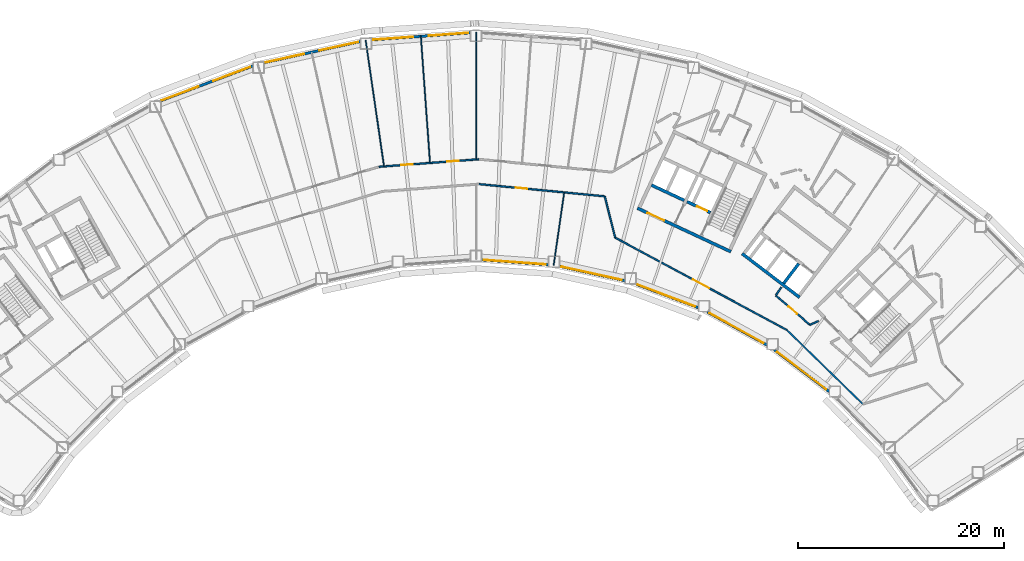
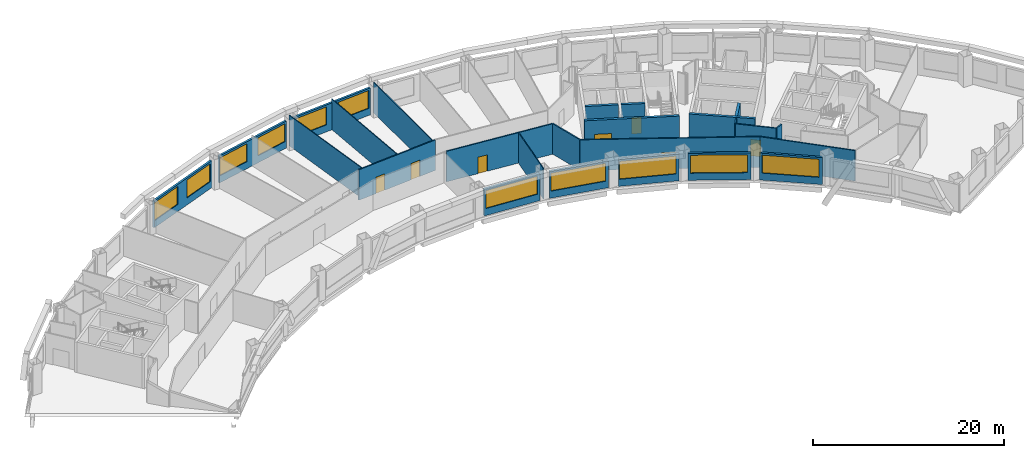
# One storey, part 5 of 11: 25 walls, 11 windows, 7 doors, 18 openings.
"""IFC4 building model written with IfcOpenShell, lengths in metres."""

import ifcopenshell
import ifcopenshell.guid

model = None  # the IFC model being written
_history = None  # IfcOwnerHistory: only IFC2X3 demands one
_inside = {}  # id of a spatial element -> (the spatial element, [elements in it])
_under = {}  # id of a project, library or spatial element -> (it, [spatial elements below it])
_declared = {}  # id of a project -> (the project, [libraries it declares])
_typed = {}  # id of a type object -> (the type object, [elements of that type])
_made_of = {}  # id of a material, layer set ... -> (it, [elements and type objects made of it])


def new_model(schema):
    """Start an empty IFC model of exactly this schema.

    Asked for "IFC4X3", IfcOpenShell would pick the latest addendum, in which some entities
    have other attributes; the version numbers below select the first issue.
    IFC2X3 requires an IfcOwnerHistory on every rooted entity: one is made here for all.
    """
    global model, _history
    if schema == "IFC4X3":
        model = ifcopenshell.file(schema_version=(4, 3, 0, 0))
    else:
        model = ifcopenshell.file(schema=schema)
    _inside.clear()
    _under.clear()
    _declared.clear()
    _typed.clear()
    _made_of.clear()
    _history = None
    if model.schema == "IFC2X3":
        org = make("IfcOrganization", Name="unknown")
        user = make(
            "IfcPersonAndOrganization",
            ThePerson=make("IfcPerson", FamilyName="unknown"),
            TheOrganization=org,
        )
        app = make(
            "IfcApplication",
            ApplicationDeveloper=org,
            Version="unknown",
            ApplicationFullName="unknown",
            ApplicationIdentifier="unknown",
        )
        _history = make(
            "IfcOwnerHistory",
            OwningUser=user,
            OwningApplication=app,
            ChangeAction="ADDED",
            CreationDate=0,
        )
    return model


def make(cls, **values):
    """One entity of the class cls with the attributes given. An attribute that is None is left unset."""
    return model.create_entity(
        cls, **{name: value for name, value in values.items() if value is not None}
    )


def rooted(cls, **values):
    """An entity with a GlobalId (a new one), such as an element, a storey or a relation."""
    return make(cls, GlobalId=ifcopenshell.guid.new(), OwnerHistory=_history, **values)


def si_unit(unit_type, name, prefix=None):
    """IfcSIUnit, for example si_unit("LENGTHUNIT", "METRE", prefix="MILLI")."""
    return make("IfcSIUnit", UnitType=unit_type, Prefix=prefix, Name=name)


def assignment(units):
    """IfcUnitAssignment: the units of a project."""
    return None if units is None else make("IfcUnitAssignment", Units=units)


def point(xyz):
    """IfcCartesianPoint."""
    return None if xyz is None else make("IfcCartesianPoint", Coordinates=xyz)


def direction(xyz):
    """IfcDirection."""
    return None if xyz is None else make("IfcDirection", DirectionRatios=xyz)


def frame(location, z_axis=None, x_axis=None):
    """IfcAxis2Placement3D, a coordinate frame: its origin and axes. An axis left out is left unset."""
    return make(
        "IfcAxis2Placement3D",
        Location=point(location),
        Axis=direction(z_axis),
        RefDirection=direction(x_axis),
    )


def frame_2d(location, x_axis=None):
    """IfcAxis2Placement2D, a coordinate frame in the plane: its origin and x axis."""
    return make(
        "IfcAxis2Placement2D", Location=point(location), RefDirection=direction(x_axis)
    )


def origin():
    """The frame at (0, 0, 0) with its axes left unset."""
    return frame((0.0, 0.0, 0.0))


def place(relative_to, where):
    """IfcLocalPlacement: puts the frame where relative to a parent placement (None: the world)."""
    return make(
        "IfcLocalPlacement", PlacementRelTo=relative_to, RelativePlacement=where
    )


def context(
    kind, dimensions, precision=None, world=None, true_north=None, identifier=None
):
    """IfcGeometricRepresentationContext, for example the 3D "Model" context."""
    return make(
        "IfcGeometricRepresentationContext",
        ContextIdentifier=identifier,
        ContextType=kind,
        CoordinateSpaceDimension=dimensions,
        Precision=precision,
        WorldCoordinateSystem=world,
        TrueNorth=true_north,
    )


def subcontext(parent, identifier, kind, view, scale=None):
    """IfcGeometricRepresentationSubContext, for example "Body" below "Model"."""
    return make(
        "IfcGeometricRepresentationSubContext",
        ContextIdentifier=identifier,
        ContextType=kind,
        ParentContext=parent,
        TargetScale=scale,
        TargetView=view,
    )


def project(units=None, contexts=None):
    """IfcProject with its units and contexts."""
    return rooted(
        "IfcProject",
        Name="project",
        RepresentationContexts=contexts,
        UnitsInContext=assignment(units),
    )


def spatial(cls, under=None, at=None, **own):
    """A site, building, storey or space (cls), placed at a placement, below another one or the project."""
    s = rooted(cls, ObjectPlacement=at, **own)
    if under is not None:
        _under.setdefault(under.id(), (under, []))[1].append(s)
    return s


def profile(cls, at=None, kind="AREA", **sizes):
    """A parametric profile (cls). Its sizes go by their IFC names, for example OverallWidth=200.0."""
    return make(cls, ProfileType=kind, Position=at, **sizes)


def rectangle(**sizes):
    """IfcRectangleProfileDef."""
    return profile("IfcRectangleProfileDef", **sizes)


def extrude(swept, where, along, depth):
    """IfcExtrudedAreaSolid: the profile swept, set in the frame where, extruded along a direction by depth."""
    return make(
        "IfcExtrudedAreaSolid",
        SweptArea=swept,
        Position=where,
        ExtrudedDirection=direction(along),
        Depth=depth,
    )


def shape(context_of_items, identifier, shape_type, items):
    """IfcShapeRepresentation: the items that make up one representation, for example the "Body"."""
    return make(
        "IfcShapeRepresentation",
        ContextOfItems=context_of_items,
        RepresentationIdentifier=identifier,
        RepresentationType=shape_type,
        Items=items,
    )


def material(Name=None, Category=None):
    """IfcMaterial."""
    return make("IfcMaterial", Name=Name, Category=Category)


def layer(
    of_material, thickness, ventilated=None, Name=None, Category=None, Priority=None
):
    """IfcMaterialLayer: one layer of a wall or slab, of a material (None: an air gap)."""
    return make(
        "IfcMaterialLayer",
        Material=of_material,
        LayerThickness=thickness,
        IsVentilated=ventilated,
        Name=Name,
        Category=Category,
        Priority=Priority,
    )


def layer_set(layers, Name=None):
    """IfcMaterialLayerSet."""
    return make("IfcMaterialLayerSet", MaterialLayers=layers, LayerSetName=Name)


def made_of(thing, what):
    """Note that an element or type object is made of a material, layer set ...; save() writes the relation."""
    if what is not None:
        _made_of.setdefault(what.id(), (what, []))[1].append(thing)
    return thing


def type_object(cls, material=None, **own):
    """A type object (cls), such as IfcWallType, which elements share."""
    return made_of(rooted(cls, **own), material)


def element(
    cls,
    number,
    at=None,
    inside=None,
    cuts=None,
    type_object=None,
    material=None,
    context=None,
    identifier="Body",
    shape_type=None,
    held_by="IfcProductDefinitionShape",
    body=None,
    shapes=None,
    **own,
):
    """One element of the class cls, such as IfcWall. Its Tag is "e" and its number.

    at: its placement. inside: the storey or other place that contains it. cuts: it is an
    opening in that element (IfcRelVoidsElement). A single representation is given by context,
    identifier, shape_type and body (its items); several are given by shapes. held_by: the class
    of the entity that holds the representations. save() writes the other relations.
    """
    e = rooted(cls, Tag="e%d" % number, ObjectPlacement=at, **own)
    if body is not None:
        shapes = [shape(context, identifier, shape_type, body)]
    if shapes is not None:
        e.Representation = make(held_by, Representations=shapes)
    if inside is not None:
        _inside.setdefault(inside.id(), (inside, []))[1].append(e)
    if cuts is not None:
        rooted(
            "IfcRelVoidsElement", RelatingBuildingElement=cuts, RelatedOpeningElement=e
        )
    if type_object is not None:
        _typed.setdefault(type_object.id(), (type_object, []))[1].append(e)
    return made_of(e, material)


def fill(opening, filler):
    """IfcRelFillsElement: the door or window that sits in an opening."""
    return rooted(
        "IfcRelFillsElement",
        RelatingOpeningElement=opening,
        RelatedBuildingElement=filler,
    )


def aggregate(whole, parts):
    """IfcRelAggregates: a whole, such as a stair, and the parts it consists of."""
    return rooted("IfcRelAggregates", RelatingObject=whole, RelatedObjects=parts)


def save(model, path):
    """Write the relations noted so far, then the file.

    IfcRelAggregates (storeys below a building ...), IfcRelContainedInSpatialStructure (elements
    in a storey), IfcRelDefinesByType, IfcRelAssociatesMaterial and IfcRelDeclares: one each for
    every whole, place, type object, material and project.
    """
    for whole, parts in _under.values():
        aggregate(whole, parts)
    for where, things in _inside.values():
        rooted(
            "IfcRelContainedInSpatialStructure",
            RelatedElements=things,
            RelatingStructure=where,
        )
    for kind, things in _typed.values():
        rooted("IfcRelDefinesByType", RelatedObjects=things, RelatingType=kind)
    for what, things in _made_of.values():
        rooted("IfcRelAssociatesMaterial", RelatedObjects=things, RelatingMaterial=what)
    for by, libraries in _declared.values():
        rooted("IfcRelDeclares", RelatingContext=by, RelatedDefinitions=libraries)
    model.write(path)


model = new_model("IFC4")

# Units and contexts
model_context = context("Model", 3, precision=1e-05, world=origin(), true_north=direction((0.0, 1.0)))
body_context = subcontext(model_context, "Body", "Model", "MODEL_VIEW")
ifc_project = project(units=[si_unit("LENGTHUNIT", "METRE"), si_unit("AREAUNIT", "SQUARE_METRE"), si_unit("VOLUMEUNIT", "CUBIC_METRE"), si_unit("PLANEANGLEUNIT", "RADIAN"), si_unit("MASSUNIT", "GRAM", prefix="KILO")], contexts=[model_context])

# Site, building, storey
site_placement = place(None, origin())
site = spatial("IfcSite", under=ifc_project, at=site_placement, CompositionType="ELEMENT")
building_placement = place(site_placement, origin())
building = spatial("IfcBuilding", under=site, at=building_placement, Name="Tuul Gate Civic Tower", CompositionType="ELEMENT")
storey_placement = place(building_placement, frame((0.0, 0.0, 120.300048828125)))
storey = spatial("IfcBuildingStorey", under=building, at=storey_placement, Name="Level 27", CompositionType="ELEMENT", Elevation=120.300048828125)

# Wall, opening, door
ifc_material_1 = material(Name="Concrete C50/60", Category="concrete")
ifc_layer_1 = layer(ifc_material_1, 0.300048828125)
ifc_layer_set_1 = layer_set([ifc_layer_1], Name="Concrete C50/60")
wall_type_1 = type_object("IfcWallType", Name="Core wall C50/60", PredefinedType="SHEAR", material=ifc_layer_set_1)
wall_1_placement = place(storey_placement, frame((34.5283203125, -7.25, 0.0), z_axis=(0.0, 0.0, 1.0), x_axis=(-0.906310338845, 0.422612789327, 0.0)))
wall_1 = element("IfcWall", 1, at=wall_1_placement, inside=storey, type_object=wall_type_1, Name="Core wall", PredefinedType="SHEAR", context=body_context, shape_type="SweptSolid", body=[
    extrude(rectangle(XDim=9.999755859375, YDim=0.300048828125, at=frame_2d((5.0, 0.0))), origin(), (0.0, 0.0, 1.0), 3.89990234375),
])
opening_1_placement = place(wall_1_placement, frame((7.125, 0.0, 0.0)))
opening_1 = element("IfcOpeningElement", 2, at=opening_1_placement, cuts=wall_1, Name="Opening LB-E3-LOBBY-1", PredefinedType="OPENING", context=body_context, shape_type="SweptSolid", body=[
    extrude(rectangle(XDim=1.800048828125, YDim=2.10009765625, at=frame_2d((0.89990234375, 1.050048828125))), frame((0.0, 0.16015625, 0.0), z_axis=(0.0, -1.0, 0.0), x_axis=(1.0, 0.0, 0.0)), (0.0, 0.0, 1.0), 0.320068359375),
])
ifc_material_2 = material(Name="Steel", Category="steel")
door_type_1 = type_object("IfcDoorType", Name="Lobby door", OperationType="DOUBLE_DOOR_SINGLE_SWING", PredefinedType="DOOR", material=ifc_material_2)
door_1_placement = place(opening_1_placement, frame((1.800048828125, 0.0, 0.0), z_axis=(0.0, 0.0, 1.0), x_axis=(-1.0, 0.0, 0.0)))
door_1 = element("IfcDoor", 3, at=door_1_placement, inside=storey, type_object=door_type_1, Name="Lobby door E3-LOBBY", OperationType="DOUBLE_DOOR_SINGLE_SWING", OverallHeight=2.10009765625, OverallWidth=1.800048828125, PredefinedType="DOOR", context=body_context, shape_type="SweptSolid", body=[
    extrude(rectangle(XDim=1.800048828125, YDim=2.10009765625, at=frame_2d((0.900146484375, 1.050048828125))), frame((0.0, 0.02490234375, 0.0), z_axis=(0.0, -1.0, 0.0), x_axis=(1.0, 0.0, 0.0)), (0.0, 0.0, 1.0), 0.050048828125),
])
fill(opening_1, door_1)

wall_2_placement = place(storey_placement, frame((32.545654296875, -3.456787109375, 0.0), z_axis=(0.0, 0.0, 1.0), x_axis=(-0.906300357825, 0.42263419337, 0.0)))
wall_2 = element("IfcWall", 4, at=wall_2_placement, inside=storey, type_object=wall_type_1, Name="Core wall", PredefinedType="SHEAR", context=body_context, shape_type="SweptSolid", body=[
    extrude(rectangle(XDim=2.500244140625, YDim=0.300048828125, at=frame_2d((1.25, 0.0))), origin(), (0.0, 0.0, 1.0), 3.89990234375),
])
opening_2_placement = place(wall_2_placement, frame((0.324951171875, 0.0, 0.0)))
opening_2 = element("IfcOpeningElement", 5, at=opening_2_placement, cuts=wall_2, Name="Opening LD-FF-2", PredefinedType="OPENING", context=body_context, shape_type="SweptSolid", body=[
    extrude(rectangle(XDim=1.10009765625, YDim=2.10009765625, at=frame_2d((0.550048828125, 1.050048828125))), frame((0.0, 0.16015625, 0.0), z_axis=(0.0, -1.0, 0.0), x_axis=(1.0, 0.0, 0.0)), (0.0, 0.0, 1.0), 0.320068359375),
])
ifc_material_3 = material(Name="Stainless steel", Category="steel")
door_type_2 = type_object("IfcDoorType", Name="Landing door", OperationType="DOUBLE_DOOR_SLIDING", PredefinedType="DOOR", material=ifc_material_3)
door_2_placement = place(opening_2_placement, origin())
door_2 = element("IfcDoor", 6, at=door_2_placement, inside=storey, type_object=door_type_2, Name="Fire-fighting lift FF-2 landing door", OperationType="DOUBLE_DOOR_SLIDING", OverallHeight=2.10009765625, OverallWidth=1.10009765625, PredefinedType="DOOR", context=body_context, shape_type="SweptSolid", body=[
    extrude(rectangle(XDim=1.10009765625, YDim=2.10009765625, at=frame_2d((0.550048828125, 1.050048828125))), frame((0.0, 0.02490234375, 0.0), z_axis=(0.0, -1.0, 0.0), x_axis=(1.0, 0.0, 0.0)), (0.0, 0.0, 1.0), 0.050048828125),
])
fill(opening_2, door_2)

# Wall
wall_3_placement = place(storey_placement, frame((30.0078125, -2.2734375, 0.0), z_axis=(0.0, 0.0, 1.0), x_axis=(-0.90630071767, 0.422633421716, 0.0)))
element("IfcWall", 7, at=wall_3_placement, inside=storey, type_object=wall_type_1, Name="Core wall", PredefinedType="SHEAR", context=body_context, shape_type="SweptSolid", body=[
    extrude(rectangle(XDim=3.5, YDim=0.300048828125, at=frame_2d((1.75, 0.0))), origin(), (0.0, 0.0, 1.0), 3.89990234375),
])

# Wall, opening, door
ifc_material_4 = material(Name="Gypsum board partition")
ifc_layer_2 = layer(ifc_material_4, 0.14990234375)
ifc_layer_set_2 = layer_set([ifc_layer_2], Name="Gypsum board partition")
wall_type_2 = type_object("IfcWallType", Name="Corridor wall P150", PredefinedType="PARTITIONING", material=ifc_layer_set_2)
wall_4_placement = place(storey_placement, frame((38.884521484375, -11.499267578125, 0.0), z_axis=(0.0, 0.0, 1.0), x_axis=(0.758650385262, -0.651497960811, 0.0)))
wall_4 = element("IfcWall", 8, at=wall_4_placement, inside=storey, type_object=wall_type_2, Name="p016", PredefinedType="PARTITIONING", context=body_context, shape_type="SweptSolid", body=[
    extrude(rectangle(XDim=4.351806640625, YDim=0.14990234375, at=frame_2d((2.17578125, 0.0))), origin(), (0.0, 0.0, 1.0), 3.89990234375),
])
opening_3_placement = place(wall_4_placement, frame((1.6259765625, 0.0, 0.0)))
opening_3 = element("IfcOpeningElement", 9, at=opening_3_placement, cuts=wall_4, Name="Opening I-D03", PredefinedType="OPENING", context=body_context, shape_type="SweptSolid", body=[
    extrude(rectangle(XDim=1.10009765625, YDim=2.10009765625, at=frame_2d((0.550048828125, 1.050048828125))), frame((0.0, 0.0849609375, 0.0), z_axis=(0.0, -1.0, 0.0), x_axis=(1.0, 0.0, 0.0)), (0.0, 0.0, 1.0), 0.169921875),
])
ifc_material_5 = material(Name="Timber door leaf", Category="wood")
door_type_3 = type_object("IfcDoorType", Name="Door D11", OperationType="NOTDEFINED", PredefinedType="DOOR", material=ifc_material_5)
door_3_placement = place(opening_3_placement, origin())
door_3 = element("IfcDoor", 10, at=door_3_placement, inside=storey, type_object=door_type_3, Name="Door I-D03", OperationType="SINGLE_SWING_RIGHT", OverallHeight=2.10009765625, OverallWidth=1.10009765625, PredefinedType="DOOR", context=body_context, shape_type="SweptSolid", body=[
    extrude(rectangle(XDim=1.10009765625, YDim=2.10009765625, at=frame_2d((0.550048828125, 1.050048828125))), frame((0.0, 0.02490234375, 0.0), z_axis=(0.0, -1.0, 0.0), x_axis=(1.0, 0.0, 0.0)), (0.0, 0.0, 1.0), 0.050048828125),
])
fill(opening_3, door_3)

# Walls
wall_5_placement = place(storey_placement, frame((38.88525390625, -11.476806640625, 0.0), z_axis=(0.0, 0.0, 1.0), x_axis=(0.57613137156, 0.817357108432, 0.0)))
element("IfcWall", 11, at=wall_5_placement, inside=storey, type_object=wall_type_2, Name="p018", PredefinedType="PARTITIONING", context=body_context, shape_type="SweptSolid", body=[
    extrude(rectangle(XDim=0.938232421875, YDim=0.14990234375, at=frame_2d((0.46923828125, 0.0))), origin(), (0.0, 0.0, 1.0), 3.89990234375),
])
wall_6_placement = place(storey_placement, frame((42.203125, -14.334228515625, 0.0), z_axis=(0.0, 0.0, 1.0), x_axis=(0.910498515922, 0.413512336581, 0.0)))
element("IfcWall", 12, at=wall_6_placement, inside=storey, type_object=wall_type_2, Name="p020", PredefinedType="PARTITIONING", context=body_context, shape_type="SweptSolid", body=[
    extrude(rectangle(XDim=0.88623046875, YDim=0.14990234375, at=frame_2d((0.443115234375, 0.0))), origin(), (0.0, 0.0, 1.0), 3.89990234375),
])

# Wall, openings, doors
wall_7_placement = place(storey_placement, frame((0.42431640625, 0.978271484375, 0.0), z_axis=(0.0, 0.0, 1.0), x_axis=(0.997139070822, 0.075588844679, 0.0)))
wall_7 = element("IfcWall", 13, at=wall_7_placement, inside=storey, type_object=wall_type_2, Name="p055", PredefinedType="PARTITIONING", context=body_context, shape_type="SweptSolid", body=[
    extrude(rectangle(XDim=9.708984375, YDim=0.14990234375, at=frame_2d((4.8544921875, 0.0))), origin(), (0.0, 0.0, 1.0), 3.89990234375),
])
opening_4_placement = place(wall_7_placement, frame((6.645263671875, 0.0, 0.0)))
opening_4 = element("IfcOpeningElement", 14, at=opening_4_placement, cuts=wall_7, Name="Opening I-D10", PredefinedType="OPENING", context=body_context, shape_type="SweptSolid", body=[
    extrude(rectangle(XDim=1.10009765625, YDim=2.10009765625, at=frame_2d((0.550048828125, 1.050048828125))), frame((0.0, 0.0849609375, 0.0), z_axis=(0.0, -1.0, 0.0), x_axis=(1.0, 0.0, 0.0)), (0.0, 0.0, 1.0), 0.169921875),
])
opening_5_placement = place(wall_7_placement, frame((2.17431640625, 0.0, 0.0)))
opening_5 = element("IfcOpeningElement", 15, at=opening_5_placement, cuts=wall_7, Name="Opening I-D11", PredefinedType="OPENING", context=body_context, shape_type="SweptSolid", body=[
    extrude(rectangle(XDim=1.10009765625, YDim=2.10009765625, at=frame_2d((0.550048828125, 1.050048828125))), frame((0.0, 0.0849609375, 0.0), z_axis=(0.0, -1.0, 0.0), x_axis=(1.0, 0.0, 0.0)), (0.0, 0.0, 1.0), 0.169921875),
])
door_4_placement = place(opening_4_placement, origin())
door_4 = element("IfcDoor", 16, at=door_4_placement, inside=storey, type_object=door_type_3, Name="Door I-D10", OperationType="SINGLE_SWING_RIGHT", OverallHeight=2.10009765625, OverallWidth=1.10009765625, PredefinedType="DOOR", context=body_context, shape_type="SweptSolid", body=[
    extrude(rectangle(XDim=1.10009765625, YDim=2.10009765625, at=frame_2d((0.550048828125, 1.050048828125))), frame((0.0, 0.02490234375, 0.0), z_axis=(0.0, -1.0, 0.0), x_axis=(1.0, 0.0, 0.0)), (0.0, 0.0, 1.0), 0.050048828125),
])
fill(opening_4, door_4)
door_5_placement = place(opening_5_placement, origin())
door_5 = element("IfcDoor", 17, at=door_5_placement, inside=storey, type_object=door_type_3, Name="Door I-D11", OperationType="SINGLE_SWING_RIGHT", OverallHeight=2.10009765625, OverallWidth=1.10009765625, PredefinedType="DOOR", context=body_context, shape_type="SweptSolid", body=[
    extrude(rectangle(XDim=1.10009765625, YDim=2.10009765625, at=frame_2d((0.550048828125, 1.050048828125))), frame((0.0, 0.02490234375, 0.0), z_axis=(0.0, -1.0, 0.0), x_axis=(1.0, 0.0, 0.0)), (0.0, 0.0, 1.0), 0.050048828125),
])
fill(opening_5, door_5)

# Wall, opening, door
wall_8_placement = place(storey_placement, frame((10.08349609375, -0.695068359375, 0.0), z_axis=(0.0, 0.0, 1.0), x_axis=(0.995306922349, -0.096768436615, 0.0)))
wall_8 = element("IfcWall", 18, at=wall_8_placement, inside=storey, type_object=wall_type_2, Name="p077", PredefinedType="PARTITIONING", context=body_context, shape_type="SweptSolid", body=[
    extrude(rectangle(XDim=12.276611328125, YDim=0.14990234375, at=frame_2d((6.13818359375, 0.0))), origin(), (0.0, 0.0, 1.0), 3.89990234375),
])
opening_6_placement = place(wall_8_placement, frame((3.6171875, 0.0, 0.0)))
opening_6 = element("IfcOpeningElement", 19, at=opening_6_placement, cuts=wall_8, Name="Opening I-D20", PredefinedType="OPENING", context=body_context, shape_type="SweptSolid", body=[
    extrude(rectangle(XDim=1.10009765625, YDim=2.10009765625, at=frame_2d((0.550048828125, 1.050048828125))), frame((0.0, 0.0849609375, 0.0), z_axis=(0.0, -1.0, 0.0), x_axis=(1.0, 0.0, 0.0)), (0.0, 0.0, 1.0), 0.169921875),
])
door_6_placement = place(opening_6_placement, frame((1.10009765625, 0.0, 0.0), z_axis=(0.0, 0.0, 1.0), x_axis=(-1.0, 0.0, 0.0)))
door_6 = element("IfcDoor", 20, at=door_6_placement, inside=storey, type_object=door_type_3, Name="Door I-D20", OperationType="SINGLE_SWING_LEFT", OverallHeight=2.10009765625, OverallWidth=1.10009765625, PredefinedType="DOOR", context=body_context, shape_type="SweptSolid", body=[
    extrude(rectangle(XDim=1.10009765625, YDim=2.10009765625, at=frame_2d((0.550048828125, 1.050048828125))), frame((0.0, 0.02490234375, 0.0), z_axis=(0.0, -1.0, 0.0), x_axis=(1.0, 0.0, 0.0)), (0.0, 0.0, 1.0), 0.050048828125),
])
fill(opening_6, door_6)

# Wall
wall_9_placement = place(storey_placement, frame((22.314697265625, -1.8974609375, 0.0), z_axis=(0.0, 0.0, 1.0), x_axis=(0.243415162546, -0.969922192056, 0.0)))
element("IfcWall", 21, at=wall_9_placement, inside=storey, type_object=wall_type_2, Name="p078", PredefinedType="PARTITIONING", context=body_context, shape_type="SweptSolid", body=[
    extrude(rectangle(XDim=4.1142578125, YDim=0.14990234375, at=frame_2d((2.05712890625, 0.0))), origin(), (0.0, 0.0, 1.0), 3.89990234375),
])

# Wall, opening, door
wall_10_placement = place(storey_placement, frame((23.316162109375, -5.887939453125, 0.0), z_axis=(0.0, 0.0, 1.0), x_axis=(0.880609999569, -0.473841775975, 0.0)))
wall_10 = element("IfcWall", 22, at=wall_10_placement, inside=storey, type_object=wall_type_2, Name="p079", PredefinedType="PARTITIONING", context=body_context, shape_type="SweptSolid", body=[
    extrude(rectangle(XDim=18.90185546875, YDim=0.14990234375, at=frame_2d((9.450927734375, 0.0))), origin(), (0.0, 0.0, 1.0), 3.89990234375),
])
opening_7_placement = place(wall_10_placement, frame((8.551025390625, 0.0, 0.0)))
opening_7 = element("IfcOpeningElement", 23, at=opening_7_placement, cuts=wall_10, Name="Opening I-D19", PredefinedType="OPENING", context=body_context, shape_type="SweptSolid", body=[
    extrude(rectangle(XDim=1.800048828125, YDim=2.10009765625, at=frame_2d((0.89990234375, 1.050048828125))), frame((0.0, 0.0849609375, 0.0), z_axis=(0.0, -1.0, 0.0), x_axis=(1.0, 0.0, 0.0)), (0.0, 0.0, 1.0), 0.169921875),
])
ifc_material_6 = material(Name="Timber door leaf, double", Category="wood")
door_type_4 = type_object("IfcDoorType", Name="Door D18", OperationType="DOUBLE_DOOR_SINGLE_SWING", PredefinedType="DOOR", material=ifc_material_6)
door_7_placement = place(opening_7_placement, frame((1.800048828125, 0.0, 0.0), z_axis=(0.0, 0.0, 1.0), x_axis=(-1.0, 0.0, 0.0)))
door_7 = element("IfcDoor", 24, at=door_7_placement, inside=storey, type_object=door_type_4, Name="Door I-D19", OperationType="DOUBLE_DOOR_SINGLE_SWING", OverallHeight=2.10009765625, OverallWidth=1.800048828125, PredefinedType="DOOR", context=body_context, shape_type="SweptSolid", body=[
    extrude(rectangle(XDim=1.800048828125, YDim=2.10009765625, at=frame_2d((0.900146484375, 1.050048828125))), frame((0.0, 0.02490234375, 0.0), z_axis=(0.0, -1.0, 0.0), x_axis=(1.0, 0.0, 0.0)), (0.0, 0.0, 1.0), 0.050048828125),
])
fill(opening_7, door_7)

# Wall
wall_11_placement = place(storey_placement, frame((39.96142578125, -14.844482421875, 0.0), z_axis=(0.0, 0.0, 1.0), x_axis=(0.715894523592, -0.69820844387, 0.0)))
element("IfcWall", 25, at=wall_11_placement, inside=storey, type_object=wall_type_2, Name="p080", PredefinedType="PARTITIONING", context=body_context, shape_type="SweptSolid", body=[
    extrude(rectangle(XDim=10.2841796875, YDim=0.14990234375, at=frame_2d((5.14208984375, 0.0))), origin(), (0.0, 0.0, 1.0), 3.89990234375),
])

# Wall, openings, windows
ifc_material_7 = material(Name="Precast concrete C40/50", Category="concrete")
ifc_layer_3 = layer(ifc_material_7, 0.25)
ifc_layer_set_3 = layer_set([ifc_layer_3], Name="Precast concrete C40/50")
wall_type_3 = type_object("IfcWallType", Name="External wall", PredefinedType="STANDARD", material=ifc_layer_set_3)
wall_12_placement = place(storey_placement, frame((9.279052734375, 13.972900390625, 0.0), z_axis=(0.0, 0.0, 1.0), x_axis=(-0.99738031898, -0.072336016692, 0.0)))
wall_12 = element("IfcWall", 26, at=wall_12_placement, inside=storey, type_object=wall_type_3, Name="External wall", PredefinedType="STANDARD", context=body_context, shape_type="SweptSolid", body=[
    extrude(rectangle(XDim=9.5751953125, YDim=0.25, at=frame_2d((4.78759765625, 0.0))), origin(), (0.0, 0.0, 1.0), 3.449951171875),
])
opening_8_placement = place(wall_12_placement, frame((0.2001953125, 0.0, 0.89990234375)))
opening_8 = element("IfcOpeningElement", 27, at=opening_8_placement, cuts=wall_12, Name="Opening W22", PredefinedType="OPENING", context=body_context, shape_type="SweptSolid", body=[
    extrude(rectangle(XDim=3.85009765625, YDim=2.300048828125, at=frame_2d((1.925048828125, 1.14990234375))), frame((0.0, 0.135009765625, 0.0), z_axis=(0.0, -1.0, 0.0), x_axis=(1.0, 0.0, 0.0)), (0.0, 0.0, 1.0), 0.27001953125),
])
opening_9_placement = place(wall_12_placement, frame((5.57177734375, 0.0, 0.89990234375)))
opening_9 = element("IfcOpeningElement", 28, at=opening_9_placement, cuts=wall_12, Name="Opening W22", PredefinedType="OPENING", context=body_context, shape_type="SweptSolid", body=[
    extrude(rectangle(XDim=3.85009765625, YDim=2.300048828125, at=frame_2d((1.925048828125, 1.14990234375))), frame((0.0, 0.135009765625, 0.0), z_axis=(0.0, -1.0, 0.0), x_axis=(1.0, 0.0, 0.0)), (0.0, 0.0, 1.0), 0.27001953125),
])
ifc_material_8 = material(Name="Glass", Category="glass")
window_type_1 = type_object("IfcWindowType", Name="Window W22 3850 x 2300", PartitioningType="SINGLE_PANEL", PredefinedType="WINDOW", material=ifc_material_8)
window_1_placement = place(opening_8_placement, origin())
window_1 = element("IfcWindow", 29, at=window_1_placement, inside=storey, type_object=window_type_1, Name="Window", OverallHeight=2.300048828125, OverallWidth=3.85009765625, PartitioningType="SINGLE_PANEL", PredefinedType="WINDOW", context=body_context, shape_type="SweptSolid", body=[
    extrude(rectangle(XDim=3.85009765625, YDim=2.300048828125, at=frame_2d((1.925048828125, 1.14990234375))), frame((0.0, 0.030029296875, 0.0), z_axis=(0.0, -1.0, 0.0), x_axis=(1.0, 0.0, 0.0)), (0.0, 0.0, 1.0), 0.06005859375),
])
fill(opening_8, window_1)
window_2_placement = place(opening_9_placement, origin())
window_2 = element("IfcWindow", 30, at=window_2_placement, inside=storey, type_object=window_type_1, Name="Window", OverallHeight=2.300048828125, OverallWidth=3.85009765625, PartitioningType="SINGLE_PANEL", PredefinedType="WINDOW", context=body_context, shape_type="SweptSolid", body=[
    extrude(rectangle(XDim=3.85009765625, YDim=2.300048828125, at=frame_2d((1.925048828125, 1.14990234375))), frame((0.0, 0.030029296875, 0.0), z_axis=(0.0, -1.0, 0.0), x_axis=(1.0, 0.0, 0.0)), (0.0, 0.0, 1.0), 0.06005859375),
])
fill(opening_9, window_2)

wall_13_placement = place(storey_placement, frame((-1.37109375, 13.126220703125, 0.0), z_axis=(0.0, 0.0, 1.0), x_axis=(-0.976556736289, -0.215260170047, 0.0)))
wall_13 = element("IfcWall", 31, at=wall_13_placement, inside=storey, type_object=wall_type_3, Name="External wall", PredefinedType="STANDARD", context=body_context, shape_type="SweptSolid", body=[
    extrude(rectangle(XDim=9.55078125, YDim=0.25, at=frame_2d((4.775390625, 0.0))), origin(), (0.0, 0.0, 1.0), 3.449951171875),
])
opening_10_placement = place(wall_13_placement, frame((0.236328125, 0.0, 0.89990234375)))
opening_10 = element("IfcOpeningElement", 32, at=opening_10_placement, cuts=wall_13, Name="Opening W22", PredefinedType="OPENING", context=body_context, shape_type="SweptSolid", body=[
    extrude(rectangle(XDim=3.85009765625, YDim=2.300048828125, at=frame_2d((1.925048828125, 1.14990234375))), frame((0.0, 0.135009765625, 0.0), z_axis=(0.0, -1.0, 0.0), x_axis=(1.0, 0.0, 0.0)), (0.0, 0.0, 1.0), 0.27001953125),
])
opening_11_placement = place(wall_13_placement, frame((5.607177734375, 0.0, 0.89990234375)))
opening_11 = element("IfcOpeningElement", 33, at=opening_11_placement, cuts=wall_13, Name="Opening W22", PredefinedType="OPENING", context=body_context, shape_type="SweptSolid", body=[
    extrude(rectangle(XDim=3.85009765625, YDim=2.300048828125, at=frame_2d((1.925048828125, 1.14990234375))), frame((0.0, 0.135009765625, 0.0), z_axis=(0.0, -1.0, 0.0), x_axis=(1.0, 0.0, 0.0)), (0.0, 0.0, 1.0), 0.27001953125),
])
window_3_placement = place(opening_10_placement, origin())
window_3 = element("IfcWindow", 34, at=window_3_placement, inside=storey, type_object=window_type_1, Name="Window", OverallHeight=2.300048828125, OverallWidth=3.85009765625, PartitioningType="SINGLE_PANEL", PredefinedType="WINDOW", context=body_context, shape_type="SweptSolid", body=[
    extrude(rectangle(XDim=3.85009765625, YDim=2.300048828125, at=frame_2d((1.925048828125, 1.14990234375))), frame((0.0, 0.030029296875, 0.0), z_axis=(0.0, -1.0, 0.0), x_axis=(1.0, 0.0, 0.0)), (0.0, 0.0, 1.0), 0.06005859375),
])
fill(opening_10, window_3)
window_4_placement = place(opening_11_placement, origin())
window_4 = element("IfcWindow", 35, at=window_4_placement, inside=storey, type_object=window_type_1, Name="Window", OverallHeight=2.300048828125, OverallWidth=3.85009765625, PartitioningType="SINGLE_PANEL", PredefinedType="WINDOW", context=body_context, shape_type="SweptSolid", body=[
    extrude(rectangle(XDim=3.85009765625, YDim=2.300048828125, at=frame_2d((1.925048828125, 1.14990234375))), frame((0.0, 0.030029296875, 0.0), z_axis=(0.0, -1.0, 0.0), x_axis=(1.0, 0.0, 0.0)), (0.0, 0.0, 1.0), 0.06005859375),
])
fill(opening_11, window_4)

wall_14_placement = place(storey_placement, frame((-11.798095703125, 10.755859375, 0.0), z_axis=(0.0, 0.0, 1.0), x_axis=(-0.935382365762, -0.353637992617, 0.0)))
wall_14 = element("IfcWall", 36, at=wall_14_placement, inside=storey, type_object=wall_type_3, Name="External wall", PredefinedType="STANDARD", context=body_context, shape_type="SweptSolid", body=[
    extrude(rectangle(XDim=9.51806640625, YDim=0.25, at=frame_2d((4.759033203125, 0.0))), origin(), (0.0, 0.0, 1.0), 3.449951171875),
])
opening_12_placement = place(wall_14_placement, frame((0.262451171875, 0.0, 0.89990234375)))
opening_12 = element("IfcOpeningElement", 37, at=opening_12_placement, cuts=wall_14, Name="Opening W22", PredefinedType="OPENING", context=body_context, shape_type="SweptSolid", body=[
    extrude(rectangle(XDim=3.85009765625, YDim=2.300048828125, at=frame_2d((1.925048828125, 1.14990234375))), frame((0.0, 0.135009765625, 0.0), z_axis=(0.0, -1.0, 0.0), x_axis=(1.0, 0.0, 0.0)), (0.0, 0.0, 1.0), 0.27001953125),
])
opening_13_placement = place(wall_14_placement, frame((5.634033203125, 0.0, 0.89990234375)))
opening_13 = element("IfcOpeningElement", 38, at=opening_13_placement, cuts=wall_14, Name="Opening W22", PredefinedType="OPENING", context=body_context, shape_type="SweptSolid", body=[
    extrude(rectangle(XDim=3.85009765625, YDim=2.300048828125, at=frame_2d((1.925048828125, 1.14990234375))), frame((0.0, 0.135009765625, 0.0), z_axis=(0.0, -1.0, 0.0), x_axis=(1.0, 0.0, 0.0)), (0.0, 0.0, 1.0), 0.27001953125),
])
window_5_placement = place(opening_12_placement, origin())
window_5 = element("IfcWindow", 39, at=window_5_placement, inside=storey, type_object=window_type_1, Name="Window", OverallHeight=2.300048828125, OverallWidth=3.85009765625, PartitioningType="SINGLE_PANEL", PredefinedType="WINDOW", context=body_context, shape_type="SweptSolid", body=[
    extrude(rectangle(XDim=3.85009765625, YDim=2.300048828125, at=frame_2d((1.925048828125, 1.14990234375))), frame((0.0, 0.030029296875, 0.0), z_axis=(0.0, -1.0, 0.0), x_axis=(1.0, 0.0, 0.0)), (0.0, 0.0, 1.0), 0.06005859375),
])
fill(opening_12, window_5)
window_6_placement = place(opening_13_placement, origin())
window_6 = element("IfcWindow", 40, at=window_6_placement, inside=storey, type_object=window_type_1, Name="Window", OverallHeight=2.300048828125, OverallWidth=3.85009765625, PartitioningType="SINGLE_PANEL", PredefinedType="WINDOW", context=body_context, shape_type="SweptSolid", body=[
    extrude(rectangle(XDim=3.85009765625, YDim=2.300048828125, at=frame_2d((1.925048828125, 1.14990234375))), frame((0.0, 0.030029296875, 0.0), z_axis=(0.0, -1.0, 0.0), x_axis=(1.0, 0.0, 0.0)), (0.0, 0.0, 1.0), 0.06005859375),
])
fill(opening_13, window_6)

# Wall, opening, window
wall_15_placement = place(storey_placement, frame((10.37890625, -8.035400390625, 0.0), z_axis=(0.0, 0.0, 1.0), x_axis=(0.997392965156, -0.072161437464, 0.0)))
wall_15 = element("IfcWall", 41, at=wall_15_placement, inside=storey, type_object=wall_type_3, Name="External wall", PredefinedType="STANDARD", context=body_context, shape_type="SweptSolid", body=[
    extrude(rectangle(XDim=6.489013671875, YDim=0.25, at=frame_2d((3.24462890625, 0.0))), origin(), (0.0, 0.0, 1.0), 3.449951171875),
])
opening_14_placement = place(wall_15_placement, frame((0.220947265625, 0.0, 0.89990234375)))
opening_14 = element("IfcOpeningElement", 42, at=opening_14_placement, cuts=wall_15, Name="Opening W26", PredefinedType="OPENING", context=body_context, shape_type="SweptSolid", body=[
    extrude(rectangle(XDim=6.0, YDim=2.300048828125, at=frame_2d((3.0, 1.14990234375))), frame((0.0, 0.135009765625, 0.0), z_axis=(0.0, -1.0, 0.0), x_axis=(1.0, 0.0, 0.0)), (0.0, 0.0, 1.0), 0.27001953125),
])
ifc_material_9 = material(Name="Glass", Category="glass")
window_type_2 = type_object("IfcWindowType", Name="Window W26 6000 x 2300", PartitioningType="SINGLE_PANEL", PredefinedType="WINDOW", material=ifc_material_9)
window_7_placement = place(opening_14_placement, origin())
window_7 = element("IfcWindow", 43, at=window_7_placement, inside=storey, type_object=window_type_2, Name="Window", OverallHeight=2.300048828125, OverallWidth=6.0, PartitioningType="SINGLE_PANEL", PredefinedType="WINDOW", context=body_context, shape_type="SweptSolid", body=[
    extrude(rectangle(XDim=6.0, YDim=2.300048828125, at=frame_2d((3.0, 1.14990234375))), frame((0.0, 0.030029296875, 0.0), z_axis=(0.0, -1.0, 0.0), x_axis=(1.0, 0.0, 0.0)), (0.0, 0.0, 1.0), 0.06005859375),
])
fill(opening_14, window_7)

wall_16_placement = place(storey_placement, frame((17.950927734375, -8.671630859375, 0.0), z_axis=(0.0, 0.0, 1.0), x_axis=(0.976562304854, -0.215234905949, 0.0)))
wall_16 = element("IfcWall", 44, at=wall_16_placement, inside=storey, type_object=wall_type_3, Name="External wall", PredefinedType="STANDARD", context=body_context, shape_type="SweptSolid", body=[
    extrude(rectangle(XDim=6.465576171875, YDim=0.25, at=frame_2d((3.23291015625, 0.0))), origin(), (0.0, 0.0, 1.0), 3.449951171875),
])
opening_15_placement = place(wall_16_placement, frame((0.160888671875, 0.0, 0.89990234375)))
opening_15 = element("IfcOpeningElement", 45, at=opening_15_placement, cuts=wall_16, Name="Opening W26", PredefinedType="OPENING", context=body_context, shape_type="SweptSolid", body=[
    extrude(rectangle(XDim=6.0, YDim=2.300048828125, at=frame_2d((3.0, 1.14990234375))), frame((0.0, 0.135009765625, 0.0), z_axis=(0.0, -1.0, 0.0), x_axis=(1.0, 0.0, 0.0)), (0.0, 0.0, 1.0), 0.27001953125),
])
window_8_placement = place(opening_15_placement, origin())
window_8 = element("IfcWindow", 46, at=window_8_placement, inside=storey, type_object=window_type_2, Name="Window", OverallHeight=2.300048828125, OverallWidth=6.0, PartitioningType="SINGLE_PANEL", PredefinedType="WINDOW", context=body_context, shape_type="SweptSolid", body=[
    extrude(rectangle(XDim=6.0, YDim=2.300048828125, at=frame_2d((3.0, 1.14990234375))), frame((0.0, 0.030029296875, 0.0), z_axis=(0.0, -1.0, 0.0), x_axis=(1.0, 0.0, 0.0)), (0.0, 0.0, 1.0), 0.06005859375),
])
fill(opening_15, window_8)

wall_17_placement = place(storey_placement, frame((25.3515625, -10.402099609375, 0.0), z_axis=(0.0, 0.0, 1.0), x_axis=(0.93537217804, -0.353664938252, 0.0)))
wall_17 = element("IfcWall", 47, at=wall_17_placement, inside=storey, type_object=wall_type_3, Name="External wall", PredefinedType="STANDARD", context=body_context, shape_type="SweptSolid", body=[
    extrude(rectangle(XDim=6.428955078125, YDim=0.25, at=frame_2d((3.21435546875, 0.0))), origin(), (0.0, 0.0, 1.0), 3.449951171875),
])
opening_16_placement = place(wall_17_placement, frame((0.09912109375, 0.0, 0.89990234375)))
opening_16 = element("IfcOpeningElement", 48, at=opening_16_placement, cuts=wall_17, Name="Opening W26", PredefinedType="OPENING", context=body_context, shape_type="SweptSolid", body=[
    extrude(rectangle(XDim=6.0, YDim=2.300048828125, at=frame_2d((3.0, 1.14990234375))), frame((0.0, 0.135009765625, 0.0), z_axis=(0.0, -1.0, 0.0), x_axis=(1.0, 0.0, 0.0)), (0.0, 0.0, 1.0), 0.27001953125),
])
window_9_placement = place(opening_16_placement, origin())
window_9 = element("IfcWindow", 49, at=window_9_placement, inside=storey, type_object=window_type_2, Name="Window", OverallHeight=2.300048828125, OverallWidth=6.0, PartitioningType="SINGLE_PANEL", PredefinedType="WINDOW", context=body_context, shape_type="SweptSolid", body=[
    extrude(rectangle(XDim=6.0, YDim=2.300048828125, at=frame_2d((3.0, 1.14990234375))), frame((0.0, 0.030029296875, 0.0), z_axis=(0.0, -1.0, 0.0), x_axis=(1.0, 0.0, 0.0)), (0.0, 0.0, 1.0), 0.06005859375),
])
fill(opening_16, window_9)

wall_18_placement = place(storey_placement, frame((32.23828125, -13.0869140625, 0.0), z_axis=(0.0, 0.0, 1.0), x_axis=(0.87460054833, -0.484844182042, 0.0)))
wall_18 = element("IfcWall", 50, at=wall_18_placement, inside=storey, type_object=wall_type_3, Name="External wall", PredefinedType="STANDARD", context=body_context, shape_type="SweptSolid", body=[
    extrude(rectangle(XDim=6.593505859375, YDim=0.25, at=frame_2d((3.296875, 0.0))), origin(), (0.0, 0.0, 1.0), 3.449951171875),
])
opening_17_placement = place(wall_18_placement, frame((0.2470703125, 0.0, 0.89990234375)))
opening_17 = element("IfcOpeningElement", 51, at=opening_17_placement, cuts=wall_18, Name="Opening W26", PredefinedType="OPENING", context=body_context, shape_type="SweptSolid", body=[
    extrude(rectangle(XDim=6.0, YDim=2.300048828125, at=frame_2d((3.0, 1.14990234375))), frame((0.0, 0.135009765625, 0.0), z_axis=(0.0, -1.0, 0.0), x_axis=(1.0, 0.0, 0.0)), (0.0, 0.0, 1.0), 0.27001953125),
])
window_10_placement = place(opening_17_placement, origin())
window_10 = element("IfcWindow", 52, at=window_10_placement, inside=storey, type_object=window_type_2, Name="Window", OverallHeight=2.300048828125, OverallWidth=6.0, PartitioningType="SINGLE_PANEL", PredefinedType="WINDOW", context=body_context, shape_type="SweptSolid", body=[
    extrude(rectangle(XDim=6.0, YDim=2.300048828125, at=frame_2d((3.0, 1.14990234375))), frame((0.0, 0.030029296875, 0.0), z_axis=(0.0, -1.0, 0.0), x_axis=(1.0, 0.0, 0.0)), (0.0, 0.0, 1.0), 0.06005859375),
])
fill(opening_17, window_10)

wall_19_placement = place(storey_placement, frame((38.74267578125, -16.76806640625, 0.0), z_axis=(0.0, 0.0, 1.0), x_axis=(0.795574625886, -0.605855605442, 0.0)))
wall_19 = element("IfcWall", 53, at=wall_19_placement, inside=storey, type_object=wall_type_3, Name="External wall", PredefinedType="STANDARD", context=body_context, shape_type="SweptSolid", body=[
    extrude(rectangle(XDim=6.666015625, YDim=0.25, at=frame_2d((3.3330078125, 0.0))), origin(), (0.0, 0.0, 1.0), 3.449951171875),
])
opening_18_placement = place(wall_19_placement, frame((0.313232421875, 0.0, 0.89990234375)))
opening_18 = element("IfcOpeningElement", 54, at=opening_18_placement, cuts=wall_19, Name="Opening W26", PredefinedType="OPENING", context=body_context, shape_type="SweptSolid", body=[
    extrude(rectangle(XDim=6.0, YDim=2.300048828125, at=frame_2d((3.0, 1.14990234375))), frame((0.0, 0.135009765625, 0.0), z_axis=(0.0, -1.0, 0.0), x_axis=(1.0, 0.0, 0.0)), (0.0, 0.0, 1.0), 0.27001953125),
])
window_11_placement = place(opening_18_placement, origin())
window_11 = element("IfcWindow", 55, at=window_11_placement, inside=storey, type_object=window_type_2, Name="Window", OverallHeight=2.300048828125, OverallWidth=6.0, PartitioningType="SINGLE_PANEL", PredefinedType="WINDOW", context=body_context, shape_type="SweptSolid", body=[
    extrude(rectangle(XDim=6.0, YDim=2.300048828125, at=frame_2d((3.0, 1.14990234375))), frame((0.0, 0.030029296875, 0.0), z_axis=(0.0, -1.0, 0.0), x_axis=(1.0, 0.0, 0.0)), (0.0, 0.0, 1.0), 0.06005859375),
])
fill(opening_18, window_11)

# Walls
ifc_material_10 = material(Name="Concrete C40/50", Category="concrete")
ifc_layer_4 = layer(ifc_material_10, 0.300048828125)
ifc_layer_set_4 = layer_set([ifc_layer_4], Name="Concrete C40/50")
wall_type_4 = type_object("IfcWallType", Name="Lift shaft wall C40/50", PredefinedType="STANDARD", material=ifc_layer_set_4)
wall_20_placement = place(storey_placement, frame((41.19189453125, -11.677734375, 0.0), z_axis=(0.0, 0.0, 1.0), x_axis=(-0.795563000331, 0.605870871147, 0.0)))
element("IfcWall", 56, at=wall_20_placement, inside=storey, type_object=wall_type_4, Name="Shaft wall", PredefinedType="STANDARD", context=body_context, shape_type="SweptSolid", body=[
    extrude(rectangle(XDim=7.000244140625, YDim=0.300048828125, at=frame_2d((3.5, 0.0))), origin(), (0.0, 0.0, 1.0), 3.89990234375),
])
wall_21_placement = place(storey_placement, frame((39.65185546875, -10.31640625, 0.0), z_axis=(0.0, 0.0, 1.0), x_axis=(0.605745892068, 0.79565816419, 0.0)))
element("IfcWall", 57, at=wall_21_placement, inside=storey, type_object=wall_type_4, Name="Shaft wall", PredefinedType="STANDARD", context=body_context, shape_type="SweptSolid", body=[
    extrude(rectangle(XDim=2.400146484375, YDim=0.300048828125, at=frame_2d((1.2001953125, 0.0))), origin(), (0.0, 0.0, 1.0), 3.89990234375),
])
ifc_material_11 = material(Name="Gypsum board partition")
ifc_layer_5 = layer(ifc_material_11, 0.10009765625)
ifc_layer_set_5 = layer_set([ifc_layer_5], Name="Gypsum board partition")
wall_type_5 = type_object("IfcWallType", Name="Partition P100", PredefinedType="PARTITIONING", material=ifc_layer_set_5)
wall_22_placement = place(storey_placement, frame((17.35302734375, -8.544921875, 0.0), z_axis=(0.0, 0.0, 1.0), x_axis=(0.144134057807, 0.989558170791, 0.0)))
element("IfcWall", 58, at=wall_22_placement, inside=storey, type_object=wall_type_5, Name="p049", PredefinedType="PARTITIONING", context=body_context, shape_type="SweptSolid", body=[
    extrude(rectangle(XDim=7.117431640625, YDim=0.10009765625, at=frame_2d((3.55859375, 0.0))), origin(), (0.0, 0.0, 1.0), 3.89990234375),
])
wall_23_placement = place(storey_placement, frame((9.828857421875, 1.691162109375, 0.0), z_axis=(0.0, 0.0, 1.0), x_axis=(0.0, 1.0, 0.0)))
element("IfcWall", 59, at=wall_23_placement, inside=storey, type_object=wall_type_5, Name="p054", PredefinedType="PARTITIONING", context=body_context, shape_type="SweptSolid", body=[
    extrude(rectangle(XDim=12.326416015625, YDim=0.10009765625, at=frame_2d((6.1630859375, 0.0))), origin(), (0.0, 0.0, 1.0), 3.89990234375),
])
wall_24_placement = place(storey_placement, frame((4.480224609375, 13.6298828125, 0.0), z_axis=(0.0, 0.0, 1.0), x_axis=(0.072236514854, -0.997387530462, 0.0)))
element("IfcWall", 60, at=wall_24_placement, inside=storey, type_object=wall_type_5, Name="p056", PredefinedType="PARTITIONING", context=body_context, shape_type="SweptSolid", body=[
    extrude(rectangle(XDim=12.30908203125, YDim=0.10009765625, at=frame_2d((6.154541015625, 0.0))), origin(), (0.0, 0.0, 1.0), 3.89990234375),
])
wall_25_placement = place(storey_placement, frame((-0.868408203125, 13.241943359375, 0.0), z_axis=(0.0, 0.0, 1.0), x_axis=(0.144126308515, -0.989559299483, 0.0)))
element("IfcWall", 61, at=wall_25_placement, inside=storey, type_object=wall_type_5, Name="p057", PredefinedType="PARTITIONING", context=body_context, shape_type="SweptSolid", body=[
    extrude(rectangle(XDim=12.35546875, YDim=0.10009765625, at=frame_2d((6.177734375, 0.0))), origin(), (0.0, 0.0, 1.0), 3.89990234375),
])

save(model, "model.ifc")
